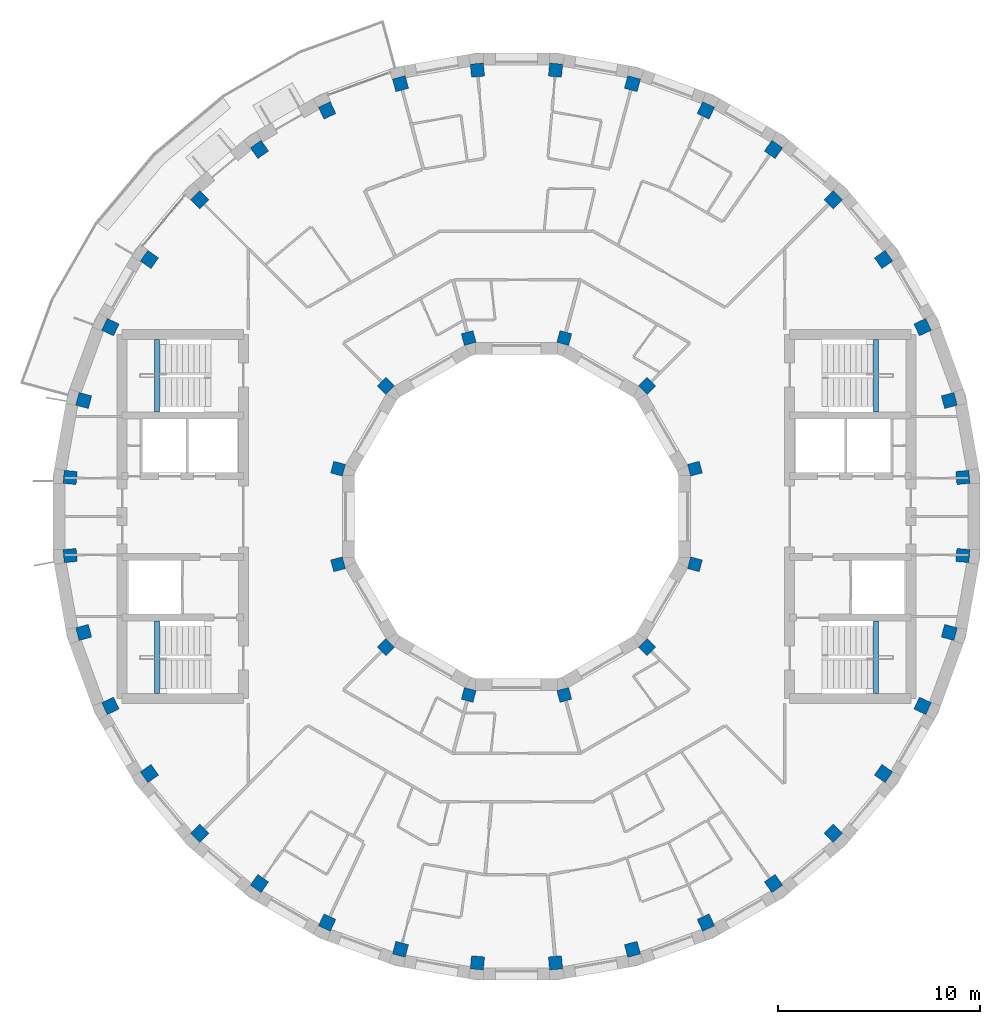
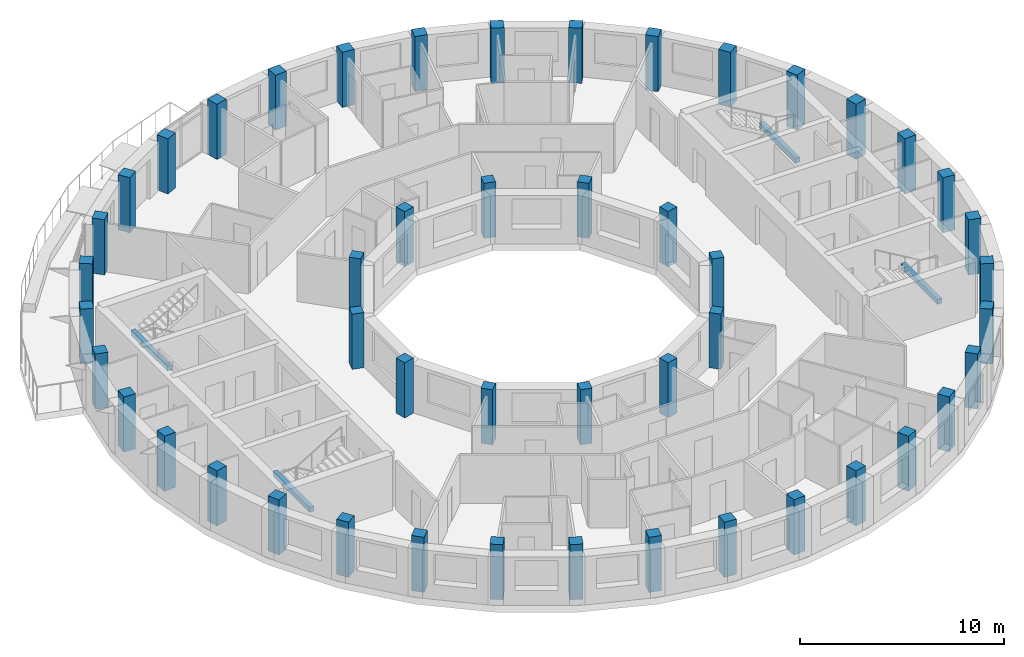
# One storey, part 1 of 12: 48 columns, 4 beams.
"""IFC4 building model written with IfcOpenShell, lengths in metres."""

from ifc_helpers import new_model, si_unit, direction, frame, origin, origin_2d, place, context, subcontext, project, spatial, rectangle, extrude, material, material_profile, profile_set, type_object, element, save


model = new_model("IFC4")

# Units and contexts
model_context = context("Model", 3, precision=1e-05, world=origin(), true_north=direction((0.0, 1.0)))
body_context = subcontext(model_context, "Body", "Model", "MODEL_VIEW")
ifc_project = project(units=[si_unit("LENGTHUNIT", "METRE"), si_unit("AREAUNIT", "SQUARE_METRE"), si_unit("VOLUMEUNIT", "CUBIC_METRE"), si_unit("PLANEANGLEUNIT", "RADIAN"), si_unit("MASSUNIT", "GRAM", prefix="KILO")], contexts=[model_context])

# Site, building, storey
site_placement = place(None, origin())
site = spatial("IfcSite", under=ifc_project, at=site_placement, CompositionType="ELEMENT")
building_placement = place(site_placement, origin())
building = spatial("IfcBuilding", under=site, at=building_placement, Name="Saqina Gate Tower", CompositionType="ELEMENT")
storey_placement = place(building_placement, frame((0.0, 0.0, 236.300048828125)))
storey = spatial("IfcBuildingStorey", under=building, at=storey_placement, Name="L67", CompositionType="ELEMENT", Elevation=236.300048828125)

# Columns
ifc_material_1 = material(Name="Concrete C60/75", Category="concrete")
ifc_material_profile_1 = material_profile(ifc_material_1, rectangle(XDim=0.60009765625, YDim=0.60009765625, at=origin_2d()), Name="RC 600x600")
ifc_profile_set_1 = profile_set([ifc_material_profile_1], Name="Concrete C60/75")
column_type_1 = type_object("IfcColumnType", Name="STR-COL-IN-D", PredefinedType="COLUMN", material=ifc_profile_set_1)
for number, where, z_axis, x_axis, name in (
    (1, (8.821044921875, 2.363525390625, 0.0), (0.0, 0.0, 1.0), (0.965925826289, 0.258819045103, 0.0), "L67-ICL01"),
    (2, (6.45751953125, 6.45751953125, 0.0), (0.0, 0.0, 1.0), (0.707106781187, 0.707106781187, 0.0), "L67-ICL02"),
    (3, (2.363525390625, 8.821044921875, 0.0), (0.0, 0.0, 1.0), (0.258819045103, 0.965925826289, 0.0), "L67-ICL03"),
    (4, (-2.363525390625, 8.821044921875, 0.0), (0.0, 0.0, 1.0), (-0.258819045103, 0.965925826289, 0.0), "L67-ICL04"),
    (5, (-6.45751953125, 6.45751953125, 0.0), (0.0, 0.0, 1.0), (-0.707106781187, 0.707106781187, 0.0), "L67-ICL05"),
    (6, (-8.821044921875, 2.363525390625, 0.0), (0.0, 0.0, 1.0), (-0.965925826289, 0.258819045103, 0.0), "L67-ICL06"),
    (7, (-8.821044921875, -2.363525390625, 0.0), (0.0, 0.0, 1.0), (-0.965925826289, -0.258819045103, 0.0), "L67-ICL07"),
    (8, (-6.45751953125, -6.45751953125, 0.0), (0.0, 0.0, 1.0), (-0.707106781187, -0.707106781187, 0.0), "L67-ICL08"),
    (9, (-2.363525390625, -8.821044921875, 0.0), (0.0, 0.0, 1.0), (-0.258819045103, -0.965925826289, 0.0), "L67-ICL09"),
    (10, (2.363525390625, -8.821044921875, 0.0), (0.0, 0.0, 1.0), (0.258819045103, -0.965925826289, 0.0), "L67-ICL10"),
    (11, (6.45751953125, -6.45751953125, 0.0), (0.0, 0.0, 1.0), (0.707106781187, -0.707106781187, 0.0), "L67-ICL11"),
    (12, (8.821044921875, -2.363525390625, 0.0), (0.0, 0.0, 1.0), (0.965925826289, -0.258819045103, 0.0), "L67-ICL12"),
):
    element("IfcColumn", number, at=place(storey_placement, frame(where, z_axis=z_axis, x_axis=x_axis)), inside=storey, type_object=column_type_1, Name=name, PredefinedType="COLUMN", context=body_context, shape_type="SweptSolid", body=[
        extrude(rectangle(XDim=0.60009765625, YDim=0.60009765625, at=origin_2d()), origin(), (0.0, 0.0, 1.0), 3.300048828125),
    ])
ifc_material_2 = material(Name="Concrete C60/75", Category="concrete")
ifc_material_profile_2 = material_profile(ifc_material_2, rectangle(XDim=0.64990234375, YDim=0.64990234375, at=origin_2d()), Name="RC 650x650")
ifc_profile_set_2 = profile_set([ifc_material_profile_2], Name="Concrete C60/75")
column_type_2 = type_object("IfcColumnType", Name="STR-COL-OUT-D", PredefinedType="COLUMN", material=ifc_profile_set_2)
for number, where, z_axis, x_axis, name in (
    (13, (22.065673828125, 1.930419921875, 0.0), (0.0, 0.0, 1.0), (0.996194698092, 0.087155742748, 0.0), "L67-COL01"),
    (14, (21.395263671875, 5.73291015625, 0.0), (0.0, 0.0, 1.0), (0.965925826289, 0.258819045103, 0.0), "L67-COL02"),
    (15, (20.07470703125, 9.361083984375, 0.0), (0.0, 0.0, 1.0), (0.906307787037, 0.422618261741, 0.0), "L67-COL03"),
    (16, (18.144287109375, 12.704833984375, 0.0), (0.0, 0.0, 1.0), (0.819152044289, 0.573576436351, 0.0), "L67-COL04"),
    (17, (15.662353515625, 15.662353515625, 0.0), (0.0, 0.0, 1.0), (0.707106781187, 0.707106781187, 0.0), "L67-COL05"),
    (18, (12.704833984375, 18.144287109375, 0.0), (0.0, 0.0, 1.0), (0.573576436351, 0.819152044289, 0.0), "L67-COL06"),
    (19, (9.361083984375, 20.07470703125, 0.0), (0.0, 0.0, 1.0), (0.422618261741, 0.906307787037, 0.0), "L67-COL07"),
    (20, (5.73291015625, 21.395263671875, 0.0), (0.0, 0.0, 1.0), (0.258819045103, 0.965925826289, 0.0), "L67-COL08"),
    (21, (1.930419921875, 22.065673828125, 0.0), (0.0, 0.0, 1.0), (0.087155742748, 0.996194698092, 0.0), "L67-COL09"),
    (22, (-1.930419921875, 22.065673828125, 0.0), (0.0, 0.0, 1.0), (-0.087155742748, 0.996194698092, 0.0), "L67-COL10"),
    (23, (-5.73291015625, 21.395263671875, 0.0), (0.0, 0.0, 1.0), (-0.258819045103, 0.965925826289, 0.0), "L67-COL11"),
    (24, (-9.361083984375, 20.07470703125, 0.0), (0.0, 0.0, 1.0), (-0.422618261741, 0.906307787037, 0.0), "L67-COL12"),
    (25, (-12.704833984375, 18.144287109375, 0.0), (0.0, 0.0, 1.0), (-0.573576436351, 0.819152044289, 0.0), "L67-COL13"),
    (26, (-15.662353515625, 15.662353515625, 0.0), (0.0, 0.0, 1.0), (-0.707106781187, 0.707106781187, 0.0), "L67-COL14"),
    (27, (-18.144287109375, 12.704833984375, 0.0), (0.0, 0.0, 1.0), (-0.819152044289, 0.573576436351, 0.0), "L67-COL15"),
    (28, (-20.07470703125, 9.361083984375, 0.0), (0.0, 0.0, 1.0), (-0.906307787037, 0.422618261741, 0.0), "L67-COL16"),
    (29, (-21.395263671875, 5.73291015625, 0.0), (0.0, 0.0, 1.0), (-0.965925826289, 0.258819045103, 0.0), "L67-COL17"),
    (30, (-22.065673828125, 1.930419921875, 0.0), (0.0, 0.0, 1.0), (-0.996194698092, 0.087155742748, 0.0), "L67-COL18"),
    (31, (-22.065673828125, -1.930419921875, 0.0), (0.0, 0.0, 1.0), (-0.996194698092, -0.087155742748, 0.0), "L67-COL19"),
    (32, (-21.395263671875, -5.73291015625, 0.0), (0.0, 0.0, 1.0), (-0.965925826289, -0.258819045103, 0.0), "L67-COL20"),
    (33, (-20.07470703125, -9.361083984375, 0.0), (0.0, 0.0, 1.0), (-0.906307787037, -0.422618261741, 0.0), "L67-COL21"),
    (34, (-18.144287109375, -12.704833984375, 0.0), (0.0, 0.0, 1.0), (-0.819152044289, -0.573576436351, 0.0), "L67-COL22"),
    (35, (-15.662353515625, -15.662353515625, 0.0), (0.0, 0.0, 1.0), (-0.707106781187, -0.707106781187, 0.0), "L67-COL23"),
    (36, (-12.704833984375, -18.144287109375, 0.0), (0.0, 0.0, 1.0), (-0.573576436351, -0.819152044289, 0.0), "L67-COL24"),
    (37, (-9.361083984375, -20.07470703125, 0.0), (0.0, 0.0, 1.0), (-0.422618261741, -0.906307787037, 0.0), "L67-COL25"),
    (38, (-5.73291015625, -21.395263671875, 0.0), (0.0, 0.0, 1.0), (-0.258819045103, -0.965925826289, 0.0), "L67-COL26"),
    (39, (-1.930419921875, -22.065673828125, 0.0), (0.0, 0.0, 1.0), (-0.087155742748, -0.996194698092, 0.0), "L67-COL27"),
    (40, (1.930419921875, -22.065673828125, 0.0), (0.0, 0.0, 1.0), (0.087155742748, -0.996194698092, 0.0), "L67-COL28"),
    (41, (5.73291015625, -21.395263671875, 0.0), (0.0, 0.0, 1.0), (0.258819045103, -0.965925826289, 0.0), "L67-COL29"),
    (42, (9.361083984375, -20.07470703125, 0.0), (0.0, 0.0, 1.0), (0.422618261741, -0.906307787037, 0.0), "L67-COL30"),
    (43, (12.704833984375, -18.144287109375, 0.0), (0.0, 0.0, 1.0), (0.573576436351, -0.819152044289, 0.0), "L67-COL31"),
    (44, (15.662353515625, -15.662353515625, 0.0), (0.0, 0.0, 1.0), (0.707106781187, -0.707106781187, 0.0), "L67-COL32"),
    (45, (18.144287109375, -12.704833984375, 0.0), (0.0, 0.0, 1.0), (0.819152044289, -0.573576436351, 0.0), "L67-COL33"),
    (46, (20.07470703125, -9.361083984375, 0.0), (0.0, 0.0, 1.0), (0.906307787037, -0.422618261741, 0.0), "L67-COL34"),
    (47, (21.395263671875, -5.73291015625, 0.0), (0.0, 0.0, 1.0), (0.965925826289, -0.258819045103, 0.0), "L67-COL35"),
    (48, (22.065673828125, -1.930419921875, 0.0), (0.0, 0.0, 1.0), (0.996194698092, -0.087155742748, 0.0), "L67-COL36"),
):
    element("IfcColumn", number, at=place(storey_placement, frame(where, z_axis=z_axis, x_axis=x_axis)), inside=storey, type_object=column_type_2, Name=name, PredefinedType="COLUMN", context=body_context, shape_type="SweptSolid", body=[
        extrude(rectangle(XDim=0.64990234375, YDim=0.64990234375, at=origin_2d()), origin(), (0.0, 0.0, 1.0), 3.300048828125),
    ])

# Beams
ifc_material_3 = material(Name="Concrete C40/50", Category="concrete")
ifc_material_profile_3 = material_profile(ifc_material_3, rectangle(XDim=0.25, YDim=0.300048828125, at=origin_2d()), Name="STAIR LANDING BEAM")
ifc_profile_set_3 = profile_set([ifc_material_profile_3], Name="Concrete C40/50")
beam_type = type_object("IfcBeamType", Name="STAIR LANDING BEAM", PredefinedType="BEAM", material=ifc_profile_set_3)
for number, where, z_axis, x_axis, name in (
    (49, (17.77001953125, 5.175048828125, 1.25), (0.0, 1.0, 0.0), (-1.0, 0.0, 0.0), "EXIT STAIR 1 LANDING BEAM"),
    (50, (17.77001953125, -8.75, 1.25), (0.0, 1.0, 0.0), (-1.0, 0.0, 0.0), "EXIT STAIR 2 LANDING BEAM"),
    (51, (-17.77001953125, 5.175048828125, 1.25), (0.0, 1.0, 0.0), (-1.0, 0.0, 0.0), "EXIT STAIR 3 LANDING BEAM"),
    (52, (-17.77001953125, -8.75, 1.25), (0.0, 1.0, 0.0), (-1.0, 0.0, 0.0), "EXIT STAIR 4 LANDING BEAM"),
):
    element("IfcBeam", number, at=place(storey_placement, frame(where, z_axis=z_axis, x_axis=x_axis)), inside=storey, type_object=beam_type, Name=name, PredefinedType="BEAM", context=body_context, shape_type="SweptSolid", body=[
        extrude(rectangle(XDim=0.25, YDim=0.300048828125, at=origin_2d()), origin(), (0.0, 0.0, 1.0), 3.574951171875),
    ])

save(model, "model.ifc")
